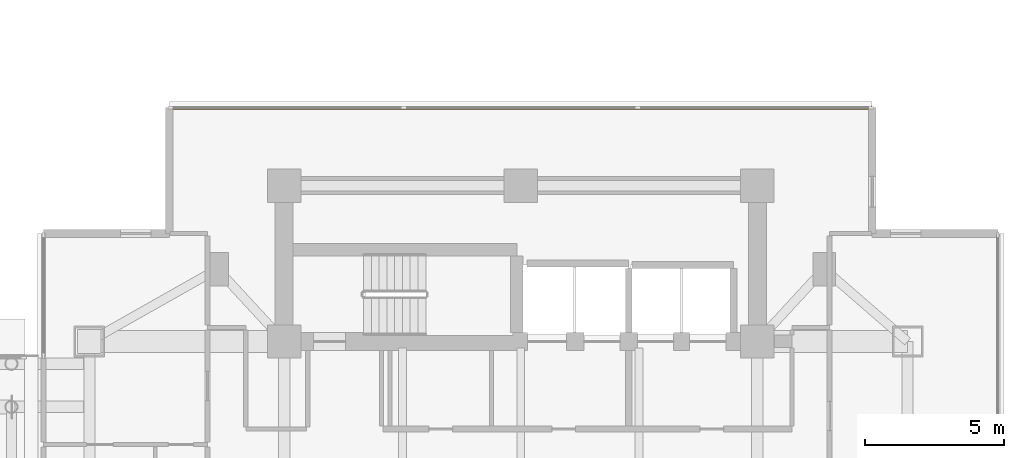
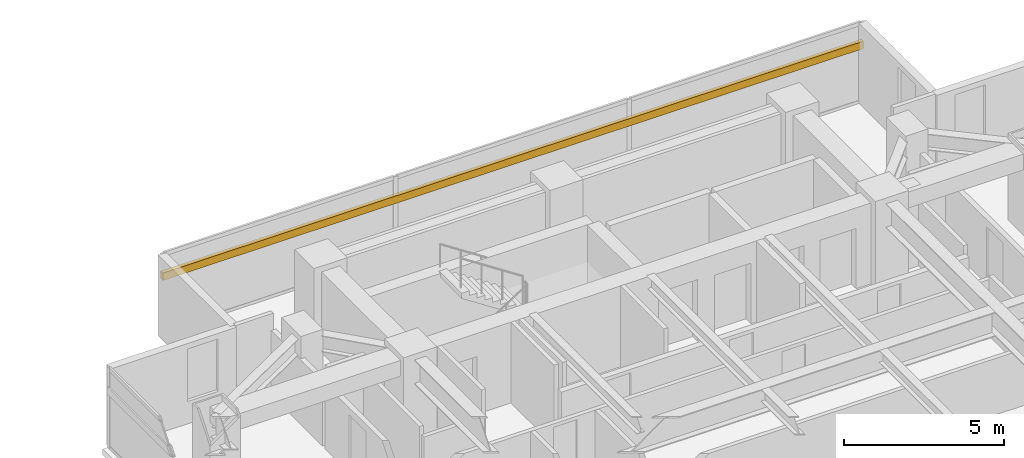
# One storey, part 29 of 29: 1 shading device.
"""IFC4 building model written with IfcOpenShell, lengths in metres."""

import ifcopenshell
import ifcopenshell.guid

model = None  # the IFC model being written
_history = None  # IfcOwnerHistory: only IFC2X3 demands one
_inside = {}  # id of a spatial element -> (the spatial element, [elements in it])
_under = {}  # id of a project, library or spatial element -> (it, [spatial elements below it])
_declared = {}  # id of a project -> (the project, [libraries it declares])
_typed = {}  # id of a type object -> (the type object, [elements of that type])
_made_of = {}  # id of a material, layer set ... -> (it, [elements and type objects made of it])


def new_model(schema):
    """Start an empty IFC model of exactly this schema.

    Asked for "IFC4X3", IfcOpenShell would pick the latest addendum, in which some entities
    have other attributes; the version numbers below select the first issue.
    IFC2X3 requires an IfcOwnerHistory on every rooted entity: one is made here for all.
    """
    global model, _history
    if schema == "IFC4X3":
        model = ifcopenshell.file(schema_version=(4, 3, 0, 0))
    else:
        model = ifcopenshell.file(schema=schema)
    _inside.clear()
    _under.clear()
    _declared.clear()
    _typed.clear()
    _made_of.clear()
    _history = None
    if model.schema == "IFC2X3":
        org = make("IfcOrganization", Name="unknown")
        user = make(
            "IfcPersonAndOrganization",
            ThePerson=make("IfcPerson", FamilyName="unknown"),
            TheOrganization=org,
        )
        app = make(
            "IfcApplication",
            ApplicationDeveloper=org,
            Version="unknown",
            ApplicationFullName="unknown",
            ApplicationIdentifier="unknown",
        )
        _history = make(
            "IfcOwnerHistory",
            OwningUser=user,
            OwningApplication=app,
            ChangeAction="ADDED",
            CreationDate=0,
        )
    return model


def make(cls, **values):
    """One entity of the class cls with the attributes given. An attribute that is None is left unset."""
    return model.create_entity(
        cls, **{name: value for name, value in values.items() if value is not None}
    )


def rooted(cls, **values):
    """An entity with a GlobalId (a new one), such as an element, a storey or a relation."""
    return make(cls, GlobalId=ifcopenshell.guid.new(), OwnerHistory=_history, **values)


def si_unit(unit_type, name, prefix=None):
    """IfcSIUnit, for example si_unit("LENGTHUNIT", "METRE", prefix="MILLI")."""
    return make("IfcSIUnit", UnitType=unit_type, Prefix=prefix, Name=name)


def assignment(units):
    """IfcUnitAssignment: the units of a project."""
    return None if units is None else make("IfcUnitAssignment", Units=units)


def point(xyz):
    """IfcCartesianPoint."""
    return None if xyz is None else make("IfcCartesianPoint", Coordinates=xyz)


def direction(xyz):
    """IfcDirection."""
    return None if xyz is None else make("IfcDirection", DirectionRatios=xyz)


def frame(location, z_axis=None, x_axis=None):
    """IfcAxis2Placement3D, a coordinate frame: its origin and axes. An axis left out is left unset."""
    return make(
        "IfcAxis2Placement3D",
        Location=point(location),
        Axis=direction(z_axis),
        RefDirection=direction(x_axis),
    )


def frame_2d(location, x_axis=None):
    """IfcAxis2Placement2D, a coordinate frame in the plane: its origin and x axis."""
    return make(
        "IfcAxis2Placement2D", Location=point(location), RefDirection=direction(x_axis)
    )


def origin():
    """The frame at (0, 0, 0) with its axes left unset."""
    return frame((0.0, 0.0, 0.0))


def origin_2d():
    """The frame at (0, 0) in the plane with its x axis left unset."""
    return frame_2d((0.0, 0.0))


def place(relative_to, where):
    """IfcLocalPlacement: puts the frame where relative to a parent placement (None: the world)."""
    return make(
        "IfcLocalPlacement", PlacementRelTo=relative_to, RelativePlacement=where
    )


def context(
    kind, dimensions, precision=None, world=None, true_north=None, identifier=None
):
    """IfcGeometricRepresentationContext, for example the 3D "Model" context."""
    return make(
        "IfcGeometricRepresentationContext",
        ContextIdentifier=identifier,
        ContextType=kind,
        CoordinateSpaceDimension=dimensions,
        Precision=precision,
        WorldCoordinateSystem=world,
        TrueNorth=true_north,
    )


def subcontext(parent, identifier, kind, view, scale=None):
    """IfcGeometricRepresentationSubContext, for example "Body" below "Model"."""
    return make(
        "IfcGeometricRepresentationSubContext",
        ContextIdentifier=identifier,
        ContextType=kind,
        ParentContext=parent,
        TargetScale=scale,
        TargetView=view,
    )


def project(units=None, contexts=None):
    """IfcProject with its units and contexts."""
    return rooted(
        "IfcProject",
        Name="project",
        RepresentationContexts=contexts,
        UnitsInContext=assignment(units),
    )


def spatial(cls, under=None, at=None, **own):
    """A site, building, storey or space (cls), placed at a placement, below another one or the project."""
    s = rooted(cls, ObjectPlacement=at, **own)
    if under is not None:
        _under.setdefault(under.id(), (under, []))[1].append(s)
    return s


def profile(cls, at=None, kind="AREA", **sizes):
    """A parametric profile (cls). Its sizes go by their IFC names, for example OverallWidth=200.0."""
    return make(cls, ProfileType=kind, Position=at, **sizes)


def rectangle(**sizes):
    """IfcRectangleProfileDef."""
    return profile("IfcRectangleProfileDef", **sizes)


def extrude(swept, where, along, depth):
    """IfcExtrudedAreaSolid: the profile swept, set in the frame where, extruded along a direction by depth."""
    return make(
        "IfcExtrudedAreaSolid",
        SweptArea=swept,
        Position=where,
        ExtrudedDirection=direction(along),
        Depth=depth,
    )


def shape(context_of_items, identifier, shape_type, items):
    """IfcShapeRepresentation: the items that make up one representation, for example the "Body"."""
    return make(
        "IfcShapeRepresentation",
        ContextOfItems=context_of_items,
        RepresentationIdentifier=identifier,
        RepresentationType=shape_type,
        Items=items,
    )


def material(Name=None, Category=None):
    """IfcMaterial."""
    return make("IfcMaterial", Name=Name, Category=Category)


def material_profile(
    of_material, cross_section, Name=None, Category=None, Priority=None
):
    """IfcMaterialProfile: a cross section and its material."""
    return make(
        "IfcMaterialProfile",
        Name=Name,
        Material=of_material,
        Profile=cross_section,
        Priority=Priority,
        Category=Category,
    )


def profile_set(profiles, Name=None, composite=None):
    """IfcMaterialProfileSet."""
    return make(
        "IfcMaterialProfileSet",
        Name=Name,
        MaterialProfiles=profiles,
        CompositeProfile=composite,
    )


def made_of(thing, what):
    """Note that an element or type object is made of a material, layer set ...; save() writes the relation."""
    if what is not None:
        _made_of.setdefault(what.id(), (what, []))[1].append(thing)
    return thing


def type_object(cls, material=None, **own):
    """A type object (cls), such as IfcWallType, which elements share."""
    return made_of(rooted(cls, **own), material)


def element(
    cls,
    number,
    at=None,
    inside=None,
    cuts=None,
    type_object=None,
    material=None,
    context=None,
    identifier="Body",
    shape_type=None,
    held_by="IfcProductDefinitionShape",
    body=None,
    shapes=None,
    **own,
):
    """One element of the class cls, such as IfcWall. Its Tag is "e" and its number.

    at: its placement. inside: the storey or other place that contains it. cuts: it is an
    opening in that element (IfcRelVoidsElement). A single representation is given by context,
    identifier, shape_type and body (its items); several are given by shapes. held_by: the class
    of the entity that holds the representations. save() writes the other relations.
    """
    e = rooted(cls, Tag="e%d" % number, ObjectPlacement=at, **own)
    if body is not None:
        shapes = [shape(context, identifier, shape_type, body)]
    if shapes is not None:
        e.Representation = make(held_by, Representations=shapes)
    if inside is not None:
        _inside.setdefault(inside.id(), (inside, []))[1].append(e)
    if cuts is not None:
        rooted(
            "IfcRelVoidsElement", RelatingBuildingElement=cuts, RelatedOpeningElement=e
        )
    if type_object is not None:
        _typed.setdefault(type_object.id(), (type_object, []))[1].append(e)
    return made_of(e, material)


def aggregate(whole, parts):
    """IfcRelAggregates: a whole, such as a stair, and the parts it consists of."""
    return rooted("IfcRelAggregates", RelatingObject=whole, RelatedObjects=parts)


def save(model, path):
    """Write the relations noted so far, then the file.

    IfcRelAggregates (storeys below a building ...), IfcRelContainedInSpatialStructure (elements
    in a storey), IfcRelDefinesByType, IfcRelAssociatesMaterial and IfcRelDeclares: one each for
    every whole, place, type object, material and project.
    """
    for whole, parts in _under.values():
        aggregate(whole, parts)
    for where, things in _inside.values():
        rooted(
            "IfcRelContainedInSpatialStructure",
            RelatedElements=things,
            RelatingStructure=where,
        )
    for kind, things in _typed.values():
        rooted("IfcRelDefinesByType", RelatedObjects=things, RelatingType=kind)
    for what, things in _made_of.values():
        rooted("IfcRelAssociatesMaterial", RelatedObjects=things, RelatingMaterial=what)
    for by, libraries in _declared.values():
        rooted("IfcRelDeclares", RelatingContext=by, RelatedDefinitions=libraries)
    model.write(path)


model = new_model("IFC4")

# Units and contexts
model_context = context("Model", 3, precision=1e-05, world=origin(), true_north=direction((0.0, 1.0)))
body_context = subcontext(model_context, "Body", "Model", "MODEL_VIEW")
ifc_project = project(units=[si_unit("LENGTHUNIT", "METRE"), si_unit("AREAUNIT", "SQUARE_METRE"), si_unit("VOLUMEUNIT", "CUBIC_METRE"), si_unit("PLANEANGLEUNIT", "RADIAN"), si_unit("MASSUNIT", "GRAM", prefix="KILO")], contexts=[model_context])

# Site, building, storey
site_placement = place(None, origin())
site = spatial("IfcSite", under=ifc_project, at=site_placement, CompositionType="ELEMENT")
building_placement = place(site_placement, origin())
building = spatial("IfcBuilding", under=site, at=building_placement, Name="Mirazonda Arch Towers", CompositionType="ELEMENT")
storey_placement = place(building_placement, frame((0.0, 0.0, 88.39990234375)))
storey = spatial("IfcBuildingStorey", under=building, at=storey_placement, Name="L24", CompositionType="ELEMENT", Elevation=88.39990234375)

# Shading device
ifc_material = material(Name="Kiln-Fired Architectural Terracotta", Category="masonry")
ifc_material_profile = material_profile(ifc_material, rectangle(XDim=0.139892578125, YDim=0.280029296875, at=origin_2d()), Name="TERRA-BAG-140x280")
ifc_profile_set = profile_set([ifc_material_profile], Name="Kiln-Fired Architectural Terracotta")
shading_device_type = type_object("IfcShadingDeviceType", Name="BAGUETTE-3", PredefinedType="USERDEFINED", material=ifc_profile_set)
shading_device_placement = place(storey_placement, frame((63.873779296875, 43.597412109375, 2.203369140625), z_axis=(1.0, 0.0, 0.0), x_axis=(0.0, 1.0, 0.0)))
element("IfcShadingDevice", 1, at=shading_device_placement, inside=storey, type_object=shading_device_type, Name="L24 Glazed Terracotta Sun-Screen Baguette CW-L24-T2-N", ObjectType="BAGUETTE", PredefinedType="USERDEFINED", context=body_context, shape_type="SweptSolid", body=[
    extrude(rectangle(XDim=0.139892578125, YDim=0.280029296875, at=origin_2d()), origin(), (0.0, 0.0, 1.0), 25.25244140625),
])

save(model, "model.ifc")
